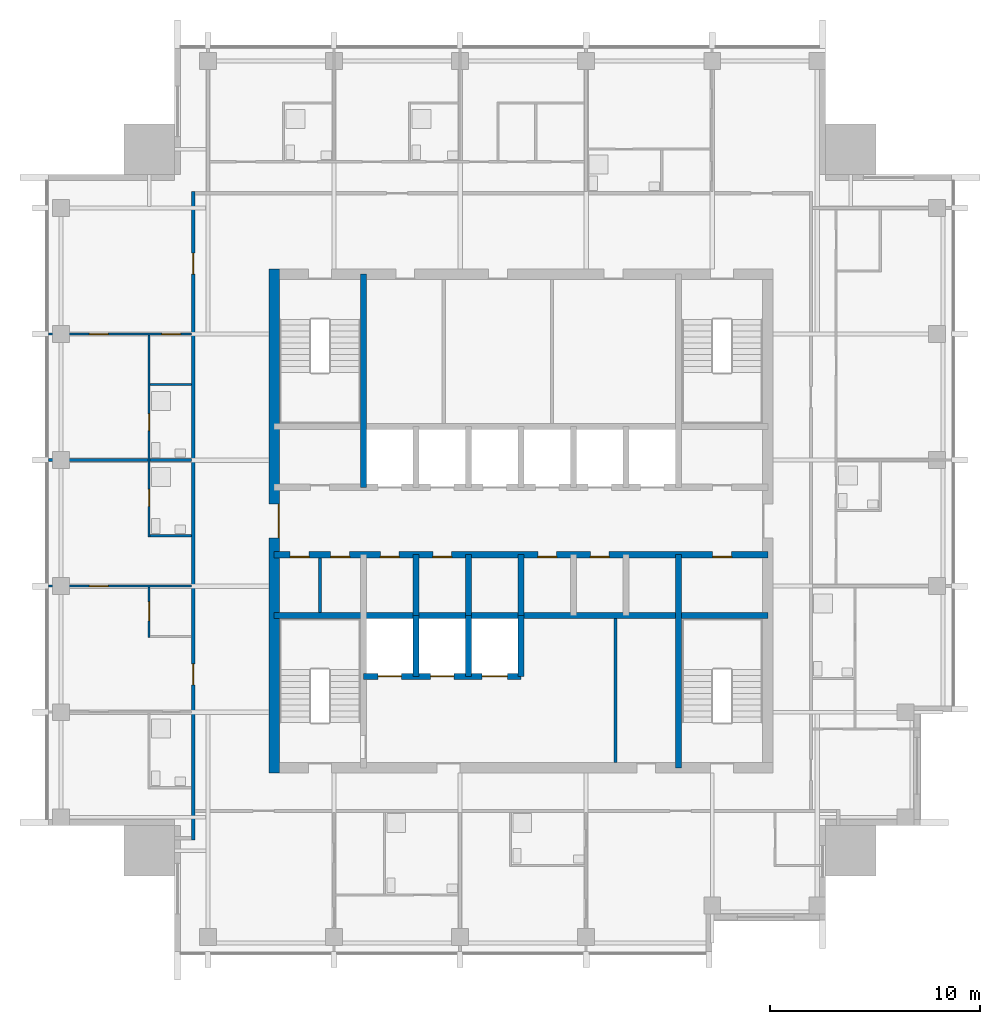
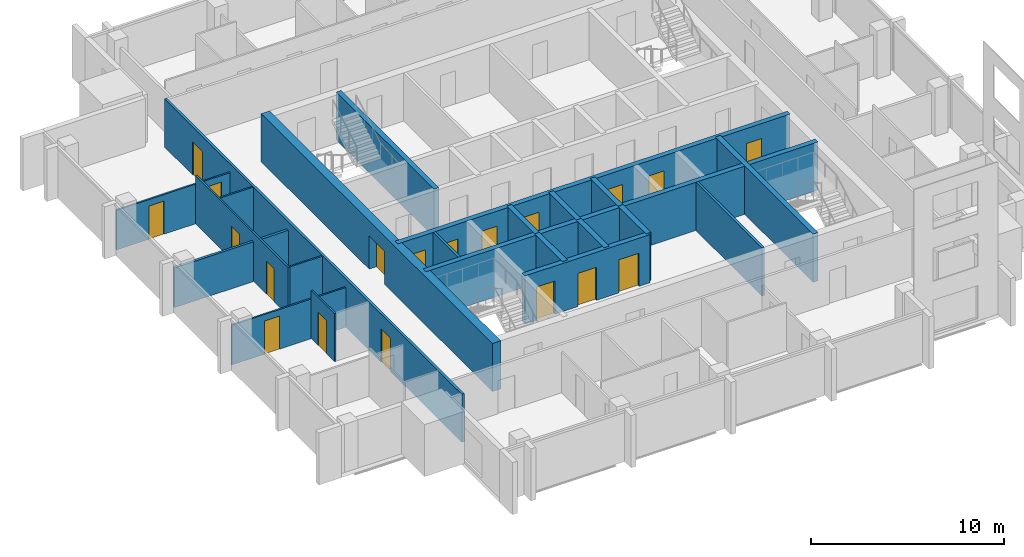
# One storey, part 4 of 9: 22 walls, 19 doors, 19 openings.
"""IFC4 building model written with IfcOpenShell, lengths in metres."""

from ifc_helpers import new_model, si_unit, direction, frame, frame_2d, origin, place, context, subcontext, project, spatial, rectangle, extrude, material, layer, layer_set, type_object, element, fill, save


model = new_model("IFC4")

# Units and contexts
model_context = context("Model", 3, precision=1e-05, world=origin(), true_north=direction((0.0, 1.0)))
body_context = subcontext(model_context, "Body", "Model", "MODEL_VIEW")
ifc_project = project(units=[si_unit("LENGTHUNIT", "METRE"), si_unit("AREAUNIT", "SQUARE_METRE"), si_unit("VOLUMEUNIT", "CUBIC_METRE"), si_unit("PLANEANGLEUNIT", "RADIAN"), si_unit("MASSUNIT", "GRAM", prefix="KILO")], contexts=[model_context])

# Site, building, storey
site_placement = place(None, origin())
site = spatial("IfcSite", under=ifc_project, at=site_placement, CompositionType="ELEMENT")
building_placement = place(site_placement, origin())
building = spatial("IfcBuilding", under=site, at=building_placement, Name="Amberfall Residences", CompositionType="ELEMENT")
storey_placement = place(building_placement, frame((0.0, 0.0, 248.800048828125)))
storey = spatial("IfcBuildingStorey", under=building, at=storey_placement, Name="L66", CompositionType="ELEMENT", Elevation=248.800048828125)

# Wall
ifc_material_1 = material(Name="Concrete C50", Category="concrete")
ifc_layer_1 = layer(ifc_material_1, 0.300048828125)
ifc_layer_set_1 = layer_set([ifc_layer_1], Name="Core wall 300 C50")
wall_type_1 = type_object("IfcWallType", Name="Core wall 300 C50", PredefinedType="SHEAR", material=ifc_layer_set_1)
wall_1_placement = place(storey_placement, frame((62.75, 41.0, 0.0), z_axis=(0.0, 0.0, 1.0), x_axis=(1.0, 0.0, 0.0)))
element("IfcWall", 1, at=wall_1_placement, inside=storey, type_object=wall_type_1, Name="Core wall RW10 L66 H75", PredefinedType="SHEAR", context=body_context, shape_type="SweptSolid", body=[
    extrude(rectangle(XDim=23.5, YDim=0.300048828125, at=frame_2d((11.75, 0.0))), origin(), (0.0, 0.0, 1.0), 3.050048828125),
])

# Wall, openings, doors
wall_2_placement = place(storey_placement, frame((62.75, 43.89990234375, 0.0), z_axis=(0.0, 0.0, 1.0), x_axis=(1.0, 0.0, 0.0)))
wall_2 = element("IfcWall", 2, at=wall_2_placement, inside=storey, type_object=wall_type_1, Name="Core wall RW10 L66 H104", PredefinedType="SHEAR", context=body_context, shape_type="SweptSolid", body=[
    extrude(rectangle(XDim=23.5, YDim=0.300048828125, at=frame_2d((11.75, 0.0))), origin(), (0.0, 0.0, 1.0), 3.050048828125),
])
opening_1_placement = place(wall_2_placement, frame((0.762451171875, 0.0, 0.0)))
opening_1 = element("IfcOpeningElement", 3, at=opening_1_placement, cuts=wall_2, Name="Opening RD1", PredefinedType="OPENING", context=body_context, shape_type="SweptSolid", body=[
    extrude(rectangle(XDim=0.89990234375, YDim=2.10009765625, at=frame_2d((0.449951171875, 1.050048828125))), frame((0.0, 0.159912109375, 0.0), z_axis=(0.0, -1.0, 0.0), x_axis=(1.0, 0.0, 0.0)), (0.0, 0.0, 1.0), 0.320068359375),
])
opening_2_placement = place(wall_2_placement, frame((2.6875, 0.0, 0.0)))
opening_2 = element("IfcOpeningElement", 4, at=opening_2_placement, cuts=wall_2, Name="Opening RD1", PredefinedType="OPENING", context=body_context, shape_type="SweptSolid", body=[
    extrude(rectangle(XDim=0.89990234375, YDim=2.10009765625, at=frame_2d((0.449951171875, 1.050048828125))), frame((0.0, 0.159912109375, 0.0), z_axis=(0.0, -1.0, 0.0), x_axis=(1.0, 0.0, 0.0)), (0.0, 0.0, 1.0), 0.320068359375),
])
opening_3_placement = place(wall_2_placement, frame((20.875, 0.0, 0.0)))
opening_3 = element("IfcOpeningElement", 5, at=opening_3_placement, cuts=wall_2, Name="Opening RD1", PredefinedType="OPENING", context=body_context, shape_type="SweptSolid", body=[
    extrude(rectangle(XDim=0.89990234375, YDim=2.10009765625, at=frame_2d((0.449951171875, 1.050048828125))), frame((0.0, 0.159912109375, 0.0), z_axis=(0.0, -1.0, 0.0), x_axis=(1.0, 0.0, 0.0)), (0.0, 0.0, 1.0), 0.320068359375),
])
opening_4_placement = place(wall_2_placement, frame((5.050048828125, 0.0, 0.0)))
opening_4 = element("IfcOpeningElement", 6, at=opening_4_placement, cuts=wall_2, Name="Opening RD1", PredefinedType="OPENING", context=body_context, shape_type="SweptSolid", body=[
    extrude(rectangle(XDim=0.89990234375, YDim=2.10009765625, at=frame_2d((0.449951171875, 1.050048828125))), frame((0.0, 0.159912109375, 0.0), z_axis=(0.0, -1.0, 0.0), x_axis=(1.0, 0.0, 0.0)), (0.0, 0.0, 1.0), 0.320068359375),
])
opening_5_placement = place(wall_2_placement, frame((7.550048828125, 0.0, 0.0)))
opening_5 = element("IfcOpeningElement", 7, at=opening_5_placement, cuts=wall_2, Name="Opening RD1", PredefinedType="OPENING", context=body_context, shape_type="SweptSolid", body=[
    extrude(rectangle(XDim=0.89990234375, YDim=2.10009765625, at=frame_2d((0.449951171875, 1.050048828125))), frame((0.0, 0.159912109375, 0.0), z_axis=(0.0, -1.0, 0.0), x_axis=(1.0, 0.0, 0.0)), (0.0, 0.0, 1.0), 0.320068359375),
])
opening_6_placement = place(wall_2_placement, frame((12.550048828125, 0.0, 0.0)))
opening_6 = element("IfcOpeningElement", 8, at=opening_6_placement, cuts=wall_2, Name="Opening RD1", PredefinedType="OPENING", context=body_context, shape_type="SweptSolid", body=[
    extrude(rectangle(XDim=0.89990234375, YDim=2.10009765625, at=frame_2d((0.449951171875, 1.050048828125))), frame((0.0, 0.159912109375, 0.0), z_axis=(0.0, -1.0, 0.0), x_axis=(1.0, 0.0, 0.0)), (0.0, 0.0, 1.0), 0.320068359375),
])
opening_7_placement = place(wall_2_placement, frame((15.050048828125, 0.0, 0.0)))
opening_7 = element("IfcOpeningElement", 9, at=opening_7_placement, cuts=wall_2, Name="Opening RD1", PredefinedType="OPENING", context=body_context, shape_type="SweptSolid", body=[
    extrude(rectangle(XDim=0.89990234375, YDim=2.10009765625, at=frame_2d((0.449951171875, 1.050048828125))), frame((0.0, 0.159912109375, 0.0), z_axis=(0.0, -1.0, 0.0), x_axis=(1.0, 0.0, 0.0)), (0.0, 0.0, 1.0), 0.320068359375),
])
ifc_material_2 = material(Name="Steel fire door set", Category="steel")
door_type_1 = type_object("IfcDoorType", Name="Service room door 900 x 2100", OperationType="SINGLE_SWING_LEFT", PredefinedType="DOOR", material=ifc_material_2)
door_1_placement = place(opening_1_placement, origin())
door_1 = element("IfcDoor", 10, at=door_1_placement, inside=storey, type_object=door_type_1, Name="RD1 L66", OperationType="SINGLE_SWING_LEFT", OverallHeight=2.10009765625, OverallWidth=0.89990234375, PredefinedType="DOOR", context=body_context, shape_type="SweptSolid", body=[
    extrude(rectangle(XDim=0.89990234375, YDim=2.10009765625, at=frame_2d((0.449951171875, 1.050048828125))), frame((0.0, -0.08740234375, 0.0), z_axis=(0.0, -1.0, 0.0), x_axis=(1.0, 0.0, 0.0)), (0.0, 0.0, 1.0), 0.050048828125),
])
fill(opening_1, door_1)
door_2_placement = place(opening_2_placement, origin())
door_2 = element("IfcDoor", 11, at=door_2_placement, inside=storey, type_object=door_type_1, Name="RD1 L66", OperationType="SINGLE_SWING_RIGHT", OverallHeight=2.10009765625, OverallWidth=0.89990234375, PredefinedType="DOOR", context=body_context, shape_type="SweptSolid", body=[
    extrude(rectangle(XDim=0.89990234375, YDim=2.10009765625, at=frame_2d((0.449951171875, 1.050048828125))), frame((0.0, -0.08740234375, 0.0), z_axis=(0.0, -1.0, 0.0), x_axis=(1.0, 0.0, 0.0)), (0.0, 0.0, 1.0), 0.050048828125),
])
fill(opening_2, door_2)
door_3_placement = place(opening_3_placement, origin())
door_3 = element("IfcDoor", 12, at=door_3_placement, inside=storey, type_object=door_type_1, Name="RD1 L66", OperationType="SINGLE_SWING_LEFT", OverallHeight=2.10009765625, OverallWidth=0.89990234375, PredefinedType="DOOR", context=body_context, shape_type="SweptSolid", body=[
    extrude(rectangle(XDim=0.89990234375, YDim=2.10009765625, at=frame_2d((0.449951171875, 1.050048828125))), frame((0.0, -0.08740234375, 0.0), z_axis=(0.0, -1.0, 0.0), x_axis=(1.0, 0.0, 0.0)), (0.0, 0.0, 1.0), 0.050048828125),
])
fill(opening_3, door_3)
door_4_placement = place(opening_4_placement, origin())
door_4 = element("IfcDoor", 13, at=door_4_placement, inside=storey, type_object=door_type_1, Name="RD1 L66", OperationType="SINGLE_SWING_RIGHT", OverallHeight=2.10009765625, OverallWidth=0.89990234375, PredefinedType="DOOR", context=body_context, shape_type="SweptSolid", body=[
    extrude(rectangle(XDim=0.89990234375, YDim=2.10009765625, at=frame_2d((0.449951171875, 1.050048828125))), frame((0.0, -0.08740234375, 0.0), z_axis=(0.0, -1.0, 0.0), x_axis=(1.0, 0.0, 0.0)), (0.0, 0.0, 1.0), 0.050048828125),
])
fill(opening_4, door_4)
door_5_placement = place(opening_5_placement, origin())
door_5 = element("IfcDoor", 14, at=door_5_placement, inside=storey, type_object=door_type_1, Name="RD1 L66", OperationType="SINGLE_SWING_LEFT", OverallHeight=2.10009765625, OverallWidth=0.89990234375, PredefinedType="DOOR", context=body_context, shape_type="SweptSolid", body=[
    extrude(rectangle(XDim=0.89990234375, YDim=2.10009765625, at=frame_2d((0.449951171875, 1.050048828125))), frame((0.0, -0.08740234375, 0.0), z_axis=(0.0, -1.0, 0.0), x_axis=(1.0, 0.0, 0.0)), (0.0, 0.0, 1.0), 0.050048828125),
])
fill(opening_5, door_5)
door_6_placement = place(opening_6_placement, origin())
door_6 = element("IfcDoor", 15, at=door_6_placement, inside=storey, type_object=door_type_1, Name="RD1 L66", OperationType="SINGLE_SWING_LEFT", OverallHeight=2.10009765625, OverallWidth=0.89990234375, PredefinedType="DOOR", context=body_context, shape_type="SweptSolid", body=[
    extrude(rectangle(XDim=0.89990234375, YDim=2.10009765625, at=frame_2d((0.449951171875, 1.050048828125))), frame((0.0, -0.08740234375, 0.0), z_axis=(0.0, -1.0, 0.0), x_axis=(1.0, 0.0, 0.0)), (0.0, 0.0, 1.0), 0.050048828125),
])
fill(opening_6, door_6)
door_7_placement = place(opening_7_placement, origin())
door_7 = element("IfcDoor", 16, at=door_7_placement, inside=storey, type_object=door_type_1, Name="RD1 L66", OperationType="SINGLE_SWING_RIGHT", OverallHeight=2.10009765625, OverallWidth=0.89990234375, PredefinedType="DOOR", context=body_context, shape_type="SweptSolid", body=[
    extrude(rectangle(XDim=0.89990234375, YDim=2.10009765625, at=frame_2d((0.449951171875, 1.050048828125))), frame((0.0, -0.08740234375, 0.0), z_axis=(0.0, -1.0, 0.0), x_axis=(1.0, 0.0, 0.0)), (0.0, 0.0, 1.0), 0.050048828125),
])
fill(opening_7, door_7)

# Walls
for number, where, z_axis, x_axis, name in (
    (17, (67.0, 47.10009765625, 0.0), (0.0, 0.0, 1.0), (0.0, 1.0, 0.0), "Core wall RW10 L66 V45N"),
    (18, (82.0, 33.75, 0.0), (0.0, 0.0, 1.0), (0.0, 1.0, 0.0), "Core wall RW10 L66 V195S"),
):
    element("IfcWall", number, at=place(storey_placement, frame(where, z_axis=z_axis, x_axis=x_axis)), inside=storey, type_object=wall_type_1, Name=name, PredefinedType="SHEAR", context=body_context, shape_type="SweptSolid", body=[
        extrude(rectangle(XDim=10.14990234375, YDim=0.300048828125, at=frame_2d((5.074951171875, 0.0))), origin(), (0.0, 0.0, 1.0), 3.050048828125),
    ])
for number, where, z_axis, x_axis, name in (
    (19, (69.5, 41.0, 0.0), (0.0, 0.0, 1.0), (0.0, 1.0, 0.0), "Core wall RW10 L66 LPD1"),
    (20, (72.0, 41.0, 0.0), (0.0, 0.0, 1.0), (0.0, 1.0, 0.0), "Core wall RW10 L66 LPD2"),
    (21, (74.5, 41.0, 0.0), (0.0, 0.0, 1.0), (0.0, 1.0, 0.0), "Core wall RW10 L66 LPD3"),
):
    element("IfcWall", number, at=place(storey_placement, frame(where, z_axis=z_axis, x_axis=x_axis)), inside=storey, type_object=wall_type_1, Name=name, PredefinedType="SHEAR", context=body_context, shape_type="SweptSolid", body=[
        extrude(rectangle(XDim=2.89990234375, YDim=0.300048828125, at=frame_2d((1.449951171875, 0.0))), origin(), (0.0, 0.0, 1.0), 3.050048828125),
    ])

# Wall, openings, doors
wall_3_placement = place(storey_placement, frame((67.0, 38.10009765625, 0.0), z_axis=(0.0, 0.0, 1.0), x_axis=(1.0, 0.0, 0.0)))
wall_3 = element("IfcWall", 22, at=wall_3_placement, inside=storey, type_object=wall_type_1, Name="Core wall RW10 L66 FFF", PredefinedType="SHEAR", context=body_context, shape_type="SweptSolid", body=[
    extrude(rectangle(XDim=7.5, YDim=0.300048828125, at=frame_2d((3.75, 0.0))), origin(), (0.0, 0.0, 1.0), 3.050048828125),
])
opening_8_placement = place(wall_3_placement, frame((0.699951171875, 0.0, 0.0)))
opening_8 = element("IfcOpeningElement", 23, at=opening_8_placement, cuts=wall_3, Name="Opening LD2", PredefinedType="OPENING", context=body_context, shape_type="SweptSolid", body=[
    extrude(rectangle(XDim=1.10009765625, YDim=2.10009765625, at=frame_2d((0.550048828125, 1.050048828125))), frame((0.0, 0.159912109375, 0.0), z_axis=(0.0, -1.0, 0.0), x_axis=(1.0, 0.0, 0.0)), (0.0, 0.0, 1.0), 0.320068359375),
])
opening_9_placement = place(wall_3_placement, frame((3.199951171875, 0.0, 0.0)))
opening_9 = element("IfcOpeningElement", 24, at=opening_9_placement, cuts=wall_3, Name="Opening LD2", PredefinedType="OPENING", context=body_context, shape_type="SweptSolid", body=[
    extrude(rectangle(XDim=1.10009765625, YDim=2.10009765625, at=frame_2d((0.550048828125, 1.050048828125))), frame((0.0, 0.159912109375, 0.0), z_axis=(0.0, -1.0, 0.0), x_axis=(1.0, 0.0, 0.0)), (0.0, 0.0, 1.0), 0.320068359375),
])
opening_10_placement = place(wall_3_placement, frame((5.64990234375, 0.0, 0.0)))
opening_10 = element("IfcOpeningElement", 25, at=opening_10_placement, cuts=wall_3, Name="Opening LD3", PredefinedType="OPENING", context=body_context, shape_type="SweptSolid", body=[
    extrude(rectangle(XDim=1.199951171875, YDim=2.10009765625, at=frame_2d((0.60009765625, 1.050048828125))), frame((0.0, 0.159912109375, 0.0), z_axis=(0.0, -1.0, 0.0), x_axis=(1.0, 0.0, 0.0)), (0.0, 0.0, 1.0), 0.320068359375),
])
door_type_2 = type_object("IfcDoorType", Name="Firefighting lift landing door 1100 x 2100", OperationType="DOUBLE_DOOR_SLIDING", PredefinedType="DOOR", material=ifc_material_2)
door_8_placement = place(opening_8_placement, origin())
door_8 = element("IfcDoor", 26, at=door_8_placement, inside=storey, type_object=door_type_2, Name="Landing door FF1 L66", OperationType="DOUBLE_DOOR_SLIDING", OverallHeight=2.10009765625, OverallWidth=1.10009765625, PredefinedType="DOOR", context=body_context, shape_type="SweptSolid", body=[
    extrude(rectangle(XDim=1.10009765625, YDim=2.10009765625, at=frame_2d((0.550048828125, 1.050048828125))), frame((0.0, 0.02490234375, 0.0), z_axis=(0.0, -1.0, 0.0), x_axis=(1.0, 0.0, 0.0)), (0.0, 0.0, 1.0), 0.050048828125),
])
fill(opening_8, door_8)
door_9_placement = place(opening_9_placement, origin())
door_9 = element("IfcDoor", 27, at=door_9_placement, inside=storey, type_object=door_type_2, Name="Landing door FF2 L66", OperationType="DOUBLE_DOOR_SLIDING", OverallHeight=2.10009765625, OverallWidth=1.10009765625, PredefinedType="DOOR", context=body_context, shape_type="SweptSolid", body=[
    extrude(rectangle(XDim=1.10009765625, YDim=2.10009765625, at=frame_2d((0.550048828125, 1.050048828125))), frame((0.0, 0.02490234375, 0.0), z_axis=(0.0, -1.0, 0.0), x_axis=(1.0, 0.0, 0.0)), (0.0, 0.0, 1.0), 0.050048828125),
])
fill(opening_9, door_9)
door_type_3 = type_object("IfcDoorType", Name="Service lift landing door 1200 x 2100", OperationType="DOUBLE_DOOR_SLIDING", PredefinedType="DOOR", material=ifc_material_2)
door_10_placement = place(opening_10_placement, origin())
door_10 = element("IfcDoor", 28, at=door_10_placement, inside=storey, type_object=door_type_3, Name="Landing door SL1 L66", OperationType="DOUBLE_DOOR_SLIDING", OverallHeight=2.10009765625, OverallWidth=1.199951171875, PredefinedType="DOOR", context=body_context, shape_type="SweptSolid", body=[
    extrude(rectangle(XDim=1.199951171875, YDim=2.10009765625, at=frame_2d((0.60009765625, 1.050048828125))), frame((0.0, 0.02490234375, 0.0), z_axis=(0.0, -1.0, 0.0), x_axis=(1.0, 0.0, 0.0)), (0.0, 0.0, 1.0), 0.050048828125),
])
fill(opening_10, door_10)

# Walls
for number, where, z_axis, x_axis, name in (
    (29, (69.5, 38.10009765625, 0.0), (0.0, 0.0, 1.0), (0.0, 1.0, 0.0), "Core wall RW10 L66 FFD1"),
    (30, (72.0, 38.10009765625, 0.0), (0.0, 0.0, 1.0), (0.0, 1.0, 0.0), "Core wall RW10 L66 FFD2"),
    (31, (74.5, 38.10009765625, 0.0), (0.0, 0.0, 1.0), (0.0, 1.0, 0.0), "Core wall RW10 L66 FFD3"),
):
    element("IfcWall", number, at=place(storey_placement, frame(where, z_axis=z_axis, x_axis=x_axis)), inside=storey, type_object=wall_type_1, Name=name, PredefinedType="SHEAR", context=body_context, shape_type="SweptSolid", body=[
        extrude(rectangle(XDim=2.89990234375, YDim=0.300048828125, at=frame_2d((1.449951171875, 0.0))), origin(), (0.0, 0.0, 1.0), 3.050048828125),
    ])

# Wall, opening, door
ifc_layer_2 = layer(ifc_material_1, 0.5)
ifc_layer_set_2 = layer_set([ifc_layer_2], Name="Core wall 500 C50")
wall_type_2 = type_object("IfcWallType", Name="Core wall 500 C50", PredefinedType="SHEAR", material=ifc_layer_set_2)
wall_4_placement = place(storey_placement, frame((62.75, 33.5, 0.0), z_axis=(0.0, 0.0, 1.0), x_axis=(0.0, 1.0, 0.0)))
wall_4 = element("IfcWall", 32, at=wall_4_placement, inside=storey, type_object=wall_type_2, Name="Core wall RW9 L66 OW", PredefinedType="SHEAR", context=body_context, shape_type="SweptSolid", body=[
    extrude(rectangle(XDim=24.0, YDim=0.5, at=frame_2d((12.0, 0.0))), origin(), (0.0, 0.0, 1.0), 3.050048828125),
])
opening_11_placement = place(wall_4_placement, frame((11.199951171875, 0.0, 0.0)))
opening_11 = element("IfcOpeningElement", 33, at=opening_11_placement, cuts=wall_4, Name="Opening LB1", PredefinedType="OPENING", context=body_context, shape_type="SweptSolid", body=[
    extrude(rectangle(XDim=1.60009765625, YDim=2.10009765625, at=frame_2d((0.800048828125, 1.050048828125))), frame((0.0, 0.260009765625, 0.0), z_axis=(0.0, -1.0, 0.0), x_axis=(1.0, 0.0, 0.0)), (0.0, 0.0, 1.0), 0.52001953125),
])
door_type_4 = type_object("IfcDoorType", Name="Lift lobby double door 1600 x 2100", OperationType="DOUBLE_DOOR_SINGLE_SWING", PredefinedType="DOOR", material=ifc_material_2)
door_11_placement = place(opening_11_placement, origin())
door_11 = element("IfcDoor", 34, at=door_11_placement, inside=storey, type_object=door_type_4, Name="LB1 L66", OperationType="DOUBLE_DOOR_SINGLE_SWING", OverallHeight=2.10009765625, OverallWidth=1.60009765625, PredefinedType="DOOR", context=body_context, shape_type="SweptSolid", body=[
    extrude(rectangle(XDim=1.60009765625, YDim=2.10009765625, at=frame_2d((0.800048828125, 1.050048828125))), frame((0.0, -0.1875, 0.0), z_axis=(0.0, -1.0, 0.0), x_axis=(1.0, 0.0, 0.0)), (0.0, 0.0, 1.0), 0.050048828125),
])
fill(opening_11, door_11)

ifc_material_3 = material(Name="Gypsum board on metal stud")
ifc_layer_3 = layer(ifc_material_3, 0.10009765625)
ifc_layer_set_3 = layer_set([ifc_layer_3], Name="Flat partition 100")
wall_type_3 = type_object("IfcWallType", Name="Flat partition 100", PredefinedType="PARTITIONING", material=ifc_layer_set_3)
wall_5_placement = place(storey_placement, frame((56.800048828125, 42.35009765625, 0.0), z_axis=(0.0, 0.0, 1.0), x_axis=(0.0, -1.0, 0.0)))
wall_5 = element("IfcWall", 35, at=wall_5_placement, inside=storey, type_object=wall_type_3, Name="Partition 002", PredefinedType="PARTITIONING", context=body_context, shape_type="SweptSolid", body=[
    extrude(rectangle(XDim=2.400146484375, YDim=0.10009765625, at=frame_2d((1.2001953125, 0.0))), origin(), (0.0, 0.0, 1.0), 3.050048828125),
])
opening_12_placement = place(wall_5_placement, frame((0.699951171875, 0.0, 0.0)))
opening_12 = element("IfcOpeningElement", 36, at=opening_12_placement, cuts=wall_5, Name="Opening D41", PredefinedType="OPENING", context=body_context, shape_type="SweptSolid", body=[
    extrude(rectangle(XDim=0.89990234375, YDim=2.10009765625, at=frame_2d((0.449951171875, 1.050048828125))), frame((0.0, 0.06005859375, 0.0), z_axis=(0.0, -1.0, 0.0), x_axis=(1.0, 0.0, 0.0)), (0.0, 0.0, 1.0), 0.1201171875),
])
ifc_material_4 = material(Name="Timber", Category="wood")
door_type_5 = type_object("IfcDoorType", Name="Internal door 900 x 2100", OperationType="SINGLE_SWING_LEFT", PredefinedType="DOOR", material=ifc_material_4)
door_12_placement = place(opening_12_placement, origin())
door_12 = element("IfcDoor", 37, at=door_12_placement, inside=storey, type_object=door_type_5, Name="Door 6607 kitchen", OperationType="SINGLE_SWING_LEFT", OverallHeight=2.10009765625, OverallWidth=0.89990234375, PredefinedType="DOOR", context=body_context, shape_type="SweptSolid", body=[
    extrude(rectangle(XDim=0.89990234375, YDim=2.10009765625, at=frame_2d((0.449951171875, 1.050048828125))), frame((0.0, 0.02490234375, 0.0), z_axis=(0.0, -1.0, 0.0), x_axis=(1.0, 0.0, 0.0)), (0.0, 0.0, 1.0), 0.050048828125),
])
fill(opening_12, door_12)

# Wall, openings, doors
wall_6_placement = place(storey_placement, frame((56.800048828125, 54.35009765625, 0.0), z_axis=(0.0, 0.0, 1.0), x_axis=(0.0, -1.0, 0.0)))
wall_6 = element("IfcWall", 38, at=wall_6_placement, inside=storey, type_object=wall_type_3, Name="Partition 003", PredefinedType="PARTITIONING", context=body_context, shape_type="SweptSolid", body=[
    extrude(rectangle(XDim=9.60009765625, YDim=0.10009765625, at=frame_2d((4.800048828125, 0.0))), origin(), (0.0, 0.0, 1.0), 3.050048828125),
])
opening_13_placement = place(wall_6_placement, frame((7.35009765625, 0.0, 0.0)))
opening_13 = element("IfcOpeningElement", 39, at=opening_13_placement, cuts=wall_6, Name="Opening D42", PredefinedType="OPENING", context=body_context, shape_type="SweptSolid", body=[
    extrude(rectangle(XDim=0.800048828125, YDim=2.10009765625, at=frame_2d((0.39990234375, 1.050048828125))), frame((0.0, 0.06005859375, 0.0), z_axis=(0.0, -1.0, 0.0), x_axis=(1.0, 0.0, 0.0)), (0.0, 0.0, 1.0), 0.1201171875),
])
opening_14_placement = place(wall_6_placement, frame((3.75, 0.0, 0.0)))
opening_14 = element("IfcOpeningElement", 40, at=opening_14_placement, cuts=wall_6, Name="Opening D42", PredefinedType="OPENING", context=body_context, shape_type="SweptSolid", body=[
    extrude(rectangle(XDim=0.800048828125, YDim=2.10009765625, at=frame_2d((0.39990234375, 1.050048828125))), frame((0.0, 0.06005859375, 0.0), z_axis=(0.0, -1.0, 0.0), x_axis=(1.0, 0.0, 0.0)), (0.0, 0.0, 1.0), 0.1201171875),
])
door_type_6 = type_object("IfcDoorType", Name="Bathroom door 800 x 2100", OperationType="SINGLE_SWING_LEFT", PredefinedType="DOOR", material=ifc_material_4)
door_13_placement = place(opening_13_placement, origin())
door_13 = element("IfcDoor", 41, at=door_13_placement, inside=storey, type_object=door_type_6, Name="Door 6607 bath2", OperationType="SINGLE_SWING_LEFT", OverallHeight=2.10009765625, OverallWidth=0.800048828125, PredefinedType="DOOR", context=body_context, shape_type="SweptSolid", body=[
    extrude(rectangle(XDim=0.800048828125, YDim=2.10009765625, at=frame_2d((0.39990234375, 1.050048828125))), frame((0.0, 0.02490234375, 0.0), z_axis=(0.0, -1.0, 0.0), x_axis=(1.0, 0.0, 0.0)), (0.0, 0.0, 1.0), 0.050048828125),
])
fill(opening_13, door_13)
door_14_placement = place(opening_14_placement, origin())
door_14 = element("IfcDoor", 42, at=door_14_placement, inside=storey, type_object=door_type_6, Name="Door 6608 bath1", OperationType="SINGLE_SWING_LEFT", OverallHeight=2.10009765625, OverallWidth=0.800048828125, PredefinedType="DOOR", context=body_context, shape_type="SweptSolid", body=[
    extrude(rectangle(XDim=0.800048828125, YDim=2.10009765625, at=frame_2d((0.39990234375, 1.050048828125))), frame((0.0, 0.02490234375, 0.0), z_axis=(0.0, -1.0, 0.0), x_axis=(1.0, 0.0, 0.0)), (0.0, 0.0, 1.0), 0.050048828125),
])
fill(opening_14, door_14)

wall_7_placement = place(storey_placement, frame((58.824951171875, 54.39990234375, 0.0), z_axis=(0.0, 0.0, 1.0), x_axis=(-1.0, 0.0, 0.0)))
wall_7 = element("IfcWall", 43, at=wall_7_placement, inside=storey, type_object=wall_type_3, Name="Partition 027", PredefinedType="PARTITIONING", context=body_context, shape_type="SweptSolid", body=[
    extrude(rectangle(XDim=6.824951171875, YDim=0.10009765625, at=frame_2d((3.41259765625, 0.0))), origin(), (0.0, 0.0, 1.0), 2.515869140625),
])
opening_15_placement = place(wall_7_placement, frame((0.52490234375, 0.0, 0.0)))
opening_15 = element("IfcOpeningElement", 44, at=opening_15_placement, cuts=wall_7, Name="Opening D41", PredefinedType="OPENING", context=body_context, shape_type="SweptSolid", body=[
    extrude(rectangle(XDim=0.89990234375, YDim=2.10009765625, at=frame_2d((0.449951171875, 1.050048828125))), frame((0.0, 0.06005859375, 0.0), z_axis=(0.0, -1.0, 0.0), x_axis=(1.0, 0.0, 0.0)), (0.0, 0.0, 1.0), 0.1201171875),
])
opening_16_placement = place(wall_7_placement, frame((3.97509765625, 0.0, 0.0)))
opening_16 = element("IfcOpeningElement", 45, at=opening_16_placement, cuts=wall_7, Name="Opening D41", PredefinedType="OPENING", context=body_context, shape_type="SweptSolid", body=[
    extrude(rectangle(XDim=0.89990234375, YDim=2.10009765625, at=frame_2d((0.449951171875, 1.050048828125))), frame((0.0, 0.06005859375, 0.0), z_axis=(0.0, -1.0, 0.0), x_axis=(1.0, 0.0, 0.0)), (0.0, 0.0, 1.0), 0.1201171875),
])
door_15_placement = place(opening_15_placement, origin())
door_15 = element("IfcDoor", 46, at=door_15_placement, inside=storey, type_object=door_type_5, Name="Door 6608 kitchen", OperationType="SINGLE_SWING_LEFT", OverallHeight=2.10009765625, OverallWidth=0.89990234375, PredefinedType="DOOR", context=body_context, shape_type="SweptSolid", body=[
    extrude(rectangle(XDim=0.89990234375, YDim=2.10009765625, at=frame_2d((0.449951171875, 1.050048828125))), frame((0.0, 0.02490234375, 0.0), z_axis=(0.0, -1.0, 0.0), x_axis=(1.0, 0.0, 0.0)), (0.0, 0.0, 1.0), 0.050048828125),
])
fill(opening_15, door_15)
door_16_placement = place(opening_16_placement, origin())
door_16 = element("IfcDoor", 47, at=door_16_placement, inside=storey, type_object=door_type_5, Name="Door 6608 bedroom1", OperationType="SINGLE_SWING_LEFT", OverallHeight=2.10009765625, OverallWidth=0.89990234375, PredefinedType="DOOR", context=body_context, shape_type="SweptSolid", body=[
    extrude(rectangle(XDim=0.89990234375, YDim=2.10009765625, at=frame_2d((0.449951171875, 1.050048828125))), frame((0.0, 0.02490234375, 0.0), z_axis=(0.0, -1.0, 0.0), x_axis=(1.0, 0.0, 0.0)), (0.0, 0.0, 1.0), 0.050048828125),
])
fill(opening_16, door_16)

# Walls
for number, where, z_axis, x_axis, name in (
    (48, (56.85009765625, 52.0, 0.0), (0.0, 0.0, 1.0), (1.0, 0.0, 0.0), "Partition 028"),
    (49, (56.85009765625, 44.800048828125, 0.0), (0.0, 0.0, 1.0), (1.0, 0.0, 0.0), "Partition 031"),
):
    element("IfcWall", number, at=place(storey_placement, frame(where, z_axis=z_axis, x_axis=x_axis)), inside=storey, type_object=wall_type_3, Name=name, PredefinedType="PARTITIONING", context=body_context, shape_type="SweptSolid", body=[
        extrude(rectangle(XDim=1.974853515625, YDim=0.10009765625, at=frame_2d((0.9873046875, 0.0))), origin(), (0.0, 0.0, 1.0), 3.050048828125),
    ])

# Wall, opening, door
wall_8_placement = place(storey_placement, frame((52.0, 42.39990234375, 0.0), z_axis=(0.0, 0.0, 1.0), x_axis=(1.0, 0.0, 0.0)))
wall_8 = element("IfcWall", 50, at=wall_8_placement, inside=storey, type_object=wall_type_3, Name="Partition 032", PredefinedType="PARTITIONING", context=body_context, shape_type="SweptSolid", body=[
    extrude(rectangle(XDim=6.824951171875, YDim=0.10009765625, at=frame_2d((3.41259765625, 0.0))), origin(), (0.0, 0.0, 1.0), 2.515869140625),
])
opening_17_placement = place(wall_8_placement, frame((1.949951171875, 0.0, 0.0)))
opening_17 = element("IfcOpeningElement", 51, at=opening_17_placement, cuts=wall_8, Name="Opening D41", PredefinedType="OPENING", context=body_context, shape_type="SweptSolid", body=[
    extrude(rectangle(XDim=0.89990234375, YDim=2.10009765625, at=frame_2d((0.449951171875, 1.050048828125))), frame((0.0, 0.06005859375, 0.0), z_axis=(0.0, -1.0, 0.0), x_axis=(1.0, 0.0, 0.0)), (0.0, 0.0, 1.0), 0.1201171875),
])
door_17_placement = place(opening_17_placement, origin())
door_17 = element("IfcDoor", 52, at=door_17_placement, inside=storey, type_object=door_type_5, Name="Door 6607 bedroom2", OperationType="SINGLE_SWING_LEFT", OverallHeight=2.10009765625, OverallWidth=0.89990234375, PredefinedType="DOOR", context=body_context, shape_type="SweptSolid", body=[
    extrude(rectangle(XDim=0.89990234375, YDim=2.10009765625, at=frame_2d((0.449951171875, 1.050048828125))), frame((0.0, 0.02490234375, 0.0), z_axis=(0.0, -1.0, 0.0), x_axis=(1.0, 0.0, 0.0)), (0.0, 0.0, 1.0), 0.050048828125),
])
fill(opening_17, door_17)

# Wall, openings, doors
ifc_material_5 = material(Name="Blockwork, plastered", Category="masonry")
ifc_layer_4 = layer(ifc_material_5, 0.14990234375)
ifc_layer_set_4 = layer_set([ifc_layer_4], Name="Flat separating wall 150")
wall_type_4 = type_object("IfcWallType", Name="Flat separating wall 150", PredefinedType="PARTITIONING", material=ifc_layer_set_4)
wall_9_placement = place(storey_placement, frame((58.89990234375, 30.324951171875, 0.0), z_axis=(0.0, 0.0, 1.0), x_axis=(0.0, 1.0, 0.0)))
wall_9 = element("IfcWall", 53, at=wall_9_placement, inside=storey, type_object=wall_type_4, Name="Separating wall 041", PredefinedType="PARTITIONING", context=body_context, shape_type="SweptSolid", body=[
    extrude(rectangle(XDim=30.85009765625, YDim=0.14990234375, at=frame_2d((15.425048828125, 0.0))), origin(), (0.0, 0.0, 1.0), 3.050048828125),
])
opening_18_placement = place(wall_9_placement, frame((7.375, 0.0, 0.0)))
opening_18 = element("IfcOpeningElement", 54, at=opening_18_placement, cuts=wall_9, Name="Opening D40", PredefinedType="OPENING", context=body_context, shape_type="SweptSolid", body=[
    extrude(rectangle(XDim=1.0, YDim=2.10009765625, at=frame_2d((0.5, 1.050048828125))), frame((0.0, 0.0849609375, 0.0), z_axis=(0.0, -1.0, 0.0), x_axis=(1.0, 0.0, 0.0)), (0.0, 0.0, 1.0), 0.169921875),
])
opening_19_placement = place(wall_9_placement, frame((26.925048828125, 0.0, 0.0)))
opening_19 = element("IfcOpeningElement", 55, at=opening_19_placement, cuts=wall_9, Name="Opening D40", PredefinedType="OPENING", context=body_context, shape_type="SweptSolid", body=[
    extrude(rectangle(XDim=1.0, YDim=2.10009765625, at=frame_2d((0.5, 1.050048828125))), frame((0.0, 0.0849609375, 0.0), z_axis=(0.0, -1.0, 0.0), x_axis=(1.0, 0.0, 0.0)), (0.0, 0.0, 1.0), 0.169921875),
])
ifc_material_6 = material(Name="Timber, fire-rated", Category="wood")
door_type_7 = type_object("IfcDoorType", Name="Flat entrance door FD60 1000 x 2100", OperationType="SINGLE_SWING_LEFT", PredefinedType="DOOR", material=ifc_material_6)
door_18_placement = place(opening_18_placement, origin())
door_18 = element("IfcDoor", 56, at=door_18_placement, inside=storey, type_object=door_type_7, Name="Door 6607 entrance", OperationType="SINGLE_SWING_LEFT", OverallHeight=2.10009765625, OverallWidth=1.0, PredefinedType="DOOR", context=body_context, shape_type="SweptSolid", body=[
    extrude(rectangle(XDim=1.0, YDim=2.10009765625, at=frame_2d((0.5, 1.050048828125))), frame((0.0, 0.02490234375, 0.0), z_axis=(0.0, -1.0, 0.0), x_axis=(1.0, 0.0, 0.0)), (0.0, 0.0, 1.0), 0.050048828125),
])
fill(opening_18, door_18)
door_19_placement = place(opening_19_placement, origin())
door_19 = element("IfcDoor", 57, at=door_19_placement, inside=storey, type_object=door_type_7, Name="Door 6608 entrance", OperationType="SINGLE_SWING_LEFT", OverallHeight=2.10009765625, OverallWidth=1.0, PredefinedType="DOOR", context=body_context, shape_type="SweptSolid", body=[
    extrude(rectangle(XDim=1.0, YDim=2.10009765625, at=frame_2d((0.5, 1.050048828125))), frame((0.0, 0.02490234375, 0.0), z_axis=(0.0, -1.0, 0.0), x_axis=(1.0, 0.0, 0.0)), (0.0, 0.0, 1.0), 0.050048828125),
])
fill(opening_19, door_19)

# Walls
wall_10_placement = place(storey_placement, frame((52.0, 48.39990234375, 0.0), z_axis=(0.0, 0.0, 1.0), x_axis=(1.0, 0.0, 0.0)))
element("IfcWall", 58, at=wall_10_placement, inside=storey, type_object=wall_type_4, Name="Separating wall 049", PredefinedType="PARTITIONING", context=body_context, shape_type="SweptSolid", body=[
    extrude(rectangle(XDim=6.824951171875, YDim=0.14990234375, at=frame_2d((3.41259765625, 0.0))), origin(), (0.0, 0.0, 1.0), 2.515869140625),
])
ifc_material_7 = material(Name="Concrete blockwork", Category="masonry")
ifc_layer_5 = layer(ifc_material_7, 0.14990234375)
ifc_layer_set_5 = layer_set([ifc_layer_5], Name="Riser wall 150")
wall_type_5 = type_object("IfcWallType", Name="Riser wall 150", PredefinedType="PLUMBINGWALL", material=ifc_layer_set_5)
wall_11_placement = place(storey_placement, frame((79.0, 34.0, 0.0), z_axis=(0.0, 0.0, 1.0), x_axis=(0.0, 1.0, 0.0)))
element("IfcWall", 59, at=wall_11_placement, inside=storey, type_object=wall_type_5, Name="L66 core wall PX", PredefinedType="PLUMBINGWALL", context=body_context, shape_type="SweptSolid", body=[
    extrude(rectangle(XDim=6.85009765625, YDim=0.14990234375, at=frame_2d((3.425048828125, 0.0))), origin(), (0.0, 0.0, 1.0), 3.050048828125),
])
wall_12_placement = place(storey_placement, frame((64.925048828125, 41.14990234375, 0.0), z_axis=(0.0, 0.0, 1.0), x_axis=(0.0, 1.0, 0.0)))
element("IfcWall", 60, at=wall_12_placement, inside=storey, type_object=wall_type_5, Name="L66 core wall ASW0", PredefinedType="PLUMBINGWALL", context=body_context, shape_type="SweptSolid", body=[
    extrude(rectangle(XDim=2.60009765625, YDim=0.14990234375, at=frame_2d((1.300048828125, 0.0))), origin(), (0.0, 0.0, 1.0), 3.050048828125),
])

save(model, "model.ifc")
